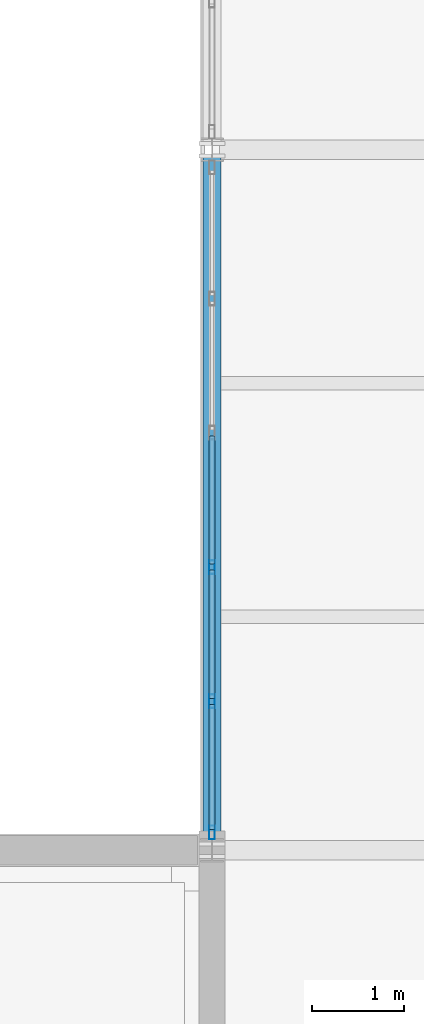
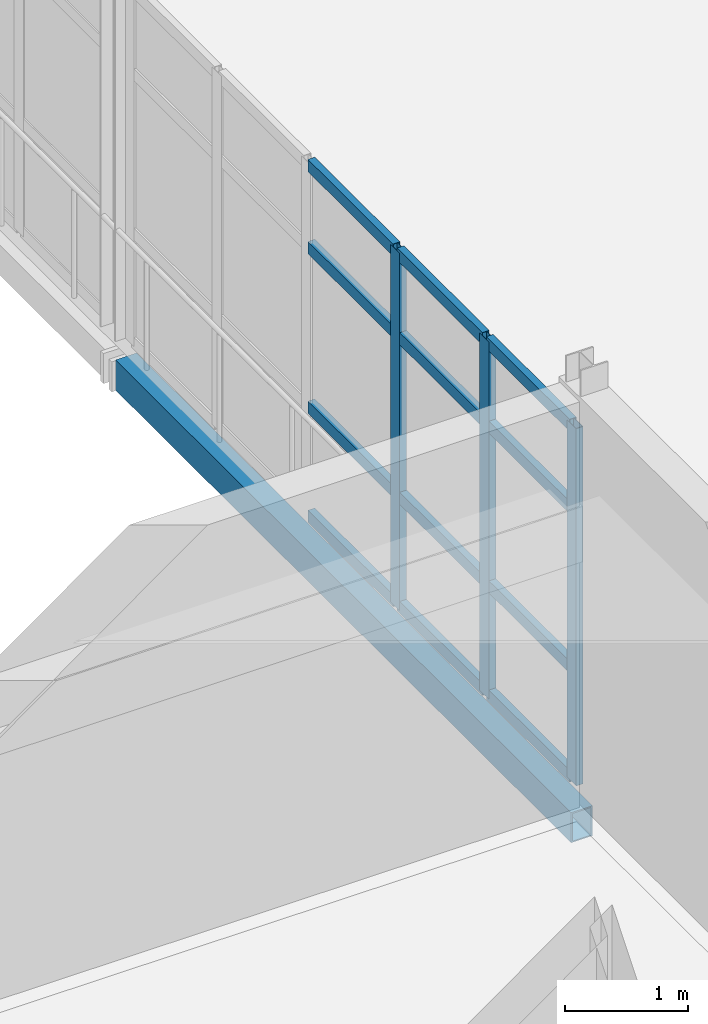
# One storey, part 19 of 48: 15 members, 1 beam, 1 element without a shape of its own.
"""IFC4 building model written with IfcOpenShell, lengths in metres."""

from ifc_helpers import new_model, si_unit, direction, frame, origin, origin_2d, place, context, subcontext, project, spatial, hollow_rectangle, extrude, material, material_profile, profile_set, type_object, element, aggregate, save


model = new_model("IFC4")

# Units and contexts
model_context = context("Model", 3, precision=1e-05, world=origin(), true_north=direction((0.0, 1.0)))
body_context = subcontext(model_context, "Body", "Model", "MODEL_VIEW")
ifc_project = project(units=[si_unit("LENGTHUNIT", "METRE"), si_unit("AREAUNIT", "SQUARE_METRE"), si_unit("VOLUMEUNIT", "CUBIC_METRE"), si_unit("PLANEANGLEUNIT", "RADIAN"), si_unit("MASSUNIT", "GRAM", prefix="KILO")], contexts=[model_context])

# Site, building, storey
site_placement = place(None, origin())
site = spatial("IfcSite", under=ifc_project, at=site_placement, CompositionType="ELEMENT")
building_placement = place(site_placement, origin())
building = spatial("IfcBuilding", under=site, at=building_placement, Name="Caisbarro Railhouse Central Library", CompositionType="ELEMENT")
storey_placement = place(building_placement, frame((0.0, 0.0, 18.0)))
storey = spatial("IfcBuildingStorey", under=building, at=storey_placement, Name="L04", CompositionType="ELEMENT", Elevation=18.0)

# Beam
ifc_material_1 = material(Name="Steel ASTM A572 Grade 50", Category="steel")
ifc_material_profile_1 = material_profile(ifc_material_1, hollow_rectangle(XDim=0.199951171875, YDim=0.300048828125, WallThickness=0.012451171875, at=origin_2d()), Name="HSS300X200X12.5")
ifc_profile_set_1 = profile_set([ifc_material_profile_1], Name="Steel ASTM A572 Grade 50")
beam_type = type_object("IfcBeamType", Name="BM-SP02", PredefinedType="SPANDREL", material=ifc_profile_set_1)
beam_placement = place(storey_placement, frame((144.0, 76.080078125, -0.3701171875), z_axis=(0.0, 1.0, 0.0), x_axis=(-1.0, 0.0, 0.0)))
element("IfcBeam", 1, at=beam_placement, inside=storey, type_object=beam_type, Name="SP02 beam L04 #2111", PredefinedType="SPANDREL", context=body_context, shape_type="SweptSolid", body=[
    extrude(hollow_rectangle(XDim=0.199951171875, YDim=0.300048828125, WallThickness=0.012451171875, at=origin_2d()), origin(), (0.0, 0.0, 1.0), 7.43994140625),
])

# Curtain wall, members
ifc_material_2 = material(Name="Anodised architectural aluminium", Category="aluminium")
curtain_wall_type = type_object("IfcCurtainWallType", Name="CW-CW03", PredefinedType="NOTDEFINED", material=ifc_material_2)
curtain_wall_placement = place(storey_placement, origin())
curtain_wall = element("IfcCurtainWall", 2, at=curtain_wall_placement, inside=storey, type_object=curtain_wall_type, Name="CW03 curtain wall L04 #163", PredefinedType="NOTDEFINED")
ifc_material_profile_2 = material_profile(ifc_material_2, hollow_rectangle(XDim=0.06494140625, YDim=0.14990234375, WallThickness=0.00390625, at=origin_2d()), Name="ALU-MUL-65X150")
ifc_profile_set_2 = profile_set([ifc_material_profile_2], Name="Anodised architectural aluminium")
member_type_1 = type_object("IfcMemberType", Name="CWM-M02", PredefinedType="MULLION", material=ifc_profile_set_2)
member_1_placement = place(storey_placement, frame((144.0, 76.1923828125, 0.0), z_axis=(0.0, 0.0, 1.0), x_axis=(-1.0, 0.0, 0.0)))
member_1 = element("IfcMember", 3, at=member_1_placement, type_object=member_type_1, Name="CW03 mullion 1", PredefinedType="MULLION", context=body_context, shape_type="SweptSolid", body=[
    extrude(hollow_rectangle(XDim=0.06494140625, YDim=0.14990234375, WallThickness=0.00390625, at=origin_2d()), origin(), (0.0, 0.0, 1.0), 3.56005859375),
])
member_2_placement = place(storey_placement, frame((144.0, 77.615966796875, 0.0), z_axis=(0.0, 0.0, 1.0), x_axis=(-1.0, 0.0, 0.0)))
member_2 = element("IfcMember", 4, at=member_2_placement, type_object=member_type_1, Name="CW03 mullion 2", PredefinedType="MULLION", context=body_context, shape_type="SweptSolid", body=[
    extrude(hollow_rectangle(XDim=0.06494140625, YDim=0.14990234375, WallThickness=0.00390625, at=origin_2d()), origin(), (0.0, 0.0, 1.0), 3.56005859375),
])
member_3_placement = place(storey_placement, frame((144.0, 79.072021484375, 0.0), z_axis=(0.0, 0.0, 1.0), x_axis=(-1.0, 0.0, 0.0)))
member_3 = element("IfcMember", 5, at=member_3_placement, type_object=member_type_1, Name="CW03 mullion 3", PredefinedType="MULLION", context=body_context, shape_type="SweptSolid", body=[
    extrude(hollow_rectangle(XDim=0.06494140625, YDim=0.14990234375, WallThickness=0.00390625, at=origin_2d()), origin(), (0.0, 0.0, 1.0), 3.56005859375),
])
ifc_material_profile_3 = material_profile(ifc_material_2, hollow_rectangle(XDim=0.06494140625, YDim=0.1201171875, WallThickness=0.00341796875, at=origin_2d()), Name="ALU-TRN-65X120")
ifc_profile_set_3 = profile_set([ifc_material_profile_3], Name="Anodised architectural aluminium")
member_type_2 = type_object("IfcMemberType", Name="CWT-T02", PredefinedType="USERDEFINED", material=ifc_profile_set_3)
member_4_placement = place(storey_placement, frame((144.0, 76.22509765625, 0.032470703125), z_axis=(0.0, 1.0, 0.0), x_axis=(-1.0, 0.0, 0.0)))
member_4 = element("IfcMember", 6, at=member_4_placement, type_object=member_type_2, Name="CW03 transom 1.1", ObjectType="TRANSOM", PredefinedType="USERDEFINED", context=body_context, shape_type="SweptSolid", body=[
    extrude(hollow_rectangle(XDim=0.06494140625, YDim=0.1201171875, WallThickness=0.00341796875, at=origin_2d()), origin(), (0.0, 0.0, 1.0), 1.3583984375),
])
member_5_placement = place(storey_placement, frame((144.0, 76.22509765625, 1.1201171875), z_axis=(0.0, 1.0, 0.0), x_axis=(-1.0, 0.0, 0.0)))
member_5 = element("IfcMember", 7, at=member_5_placement, type_object=member_type_2, Name="CW03 transom 1.2", ObjectType="TRANSOM", PredefinedType="USERDEFINED", context=body_context, shape_type="SweptSolid", body=[
    extrude(hollow_rectangle(XDim=0.06494140625, YDim=0.1201171875, WallThickness=0.00341796875, at=origin_2d()), origin(), (0.0, 0.0, 1.0), 1.3583984375),
])
member_6_placement = place(storey_placement, frame((144.0, 76.22509765625, 2.7099609375), z_axis=(0.0, 1.0, 0.0), x_axis=(-1.0, 0.0, 0.0)))
member_6 = element("IfcMember", 8, at=member_6_placement, type_object=member_type_2, Name="CW03 transom 1.3", ObjectType="TRANSOM", PredefinedType="USERDEFINED", context=body_context, shape_type="SweptSolid", body=[
    extrude(hollow_rectangle(XDim=0.06494140625, YDim=0.1201171875, WallThickness=0.00341796875, at=origin_2d()), origin(), (0.0, 0.0, 1.0), 1.3583984375),
])
member_7_placement = place(storey_placement, frame((144.0, 76.22509765625, 3.527587890625), z_axis=(0.0, 1.0, 0.0), x_axis=(-1.0, 0.0, 0.0)))
member_7 = element("IfcMember", 9, at=member_7_placement, type_object=member_type_2, Name="CW03 transom 1.4", ObjectType="TRANSOM", PredefinedType="USERDEFINED", context=body_context, shape_type="SweptSolid", body=[
    extrude(hollow_rectangle(XDim=0.06494140625, YDim=0.1201171875, WallThickness=0.00341796875, at=origin_2d()), origin(), (0.0, 0.0, 1.0), 1.3583984375),
])
member_8_placement = place(storey_placement, frame((144.0, 77.6484375, 0.032470703125), z_axis=(0.0, 1.0, 0.0), x_axis=(-1.0, 0.0, 0.0)))
member_8 = element("IfcMember", 10, at=member_8_placement, type_object=member_type_2, Name="CW03 transom 2.1", ObjectType="TRANSOM", PredefinedType="USERDEFINED", context=body_context, shape_type="SweptSolid", body=[
    extrude(hollow_rectangle(XDim=0.06494140625, YDim=0.1201171875, WallThickness=0.00341796875, at=origin_2d()), origin(), (0.0, 0.0, 1.0), 1.39111328125),
])
member_9_placement = place(storey_placement, frame((144.0, 77.6484375, 1.1201171875), z_axis=(0.0, 1.0, 0.0), x_axis=(-1.0, 0.0, 0.0)))
member_9 = element("IfcMember", 11, at=member_9_placement, type_object=member_type_2, Name="CW03 transom 2.2", ObjectType="TRANSOM", PredefinedType="USERDEFINED", context=body_context, shape_type="SweptSolid", body=[
    extrude(hollow_rectangle(XDim=0.06494140625, YDim=0.1201171875, WallThickness=0.00341796875, at=origin_2d()), origin(), (0.0, 0.0, 1.0), 1.39111328125),
])
member_10_placement = place(storey_placement, frame((144.0, 77.6484375, 2.7099609375), z_axis=(0.0, 1.0, 0.0), x_axis=(-1.0, 0.0, 0.0)))
member_10 = element("IfcMember", 12, at=member_10_placement, type_object=member_type_2, Name="CW03 transom 2.3", ObjectType="TRANSOM", PredefinedType="USERDEFINED", context=body_context, shape_type="SweptSolid", body=[
    extrude(hollow_rectangle(XDim=0.06494140625, YDim=0.1201171875, WallThickness=0.00341796875, at=origin_2d()), origin(), (0.0, 0.0, 1.0), 1.39111328125),
])
member_11_placement = place(storey_placement, frame((144.0, 77.6484375, 3.527587890625), z_axis=(0.0, 1.0, 0.0), x_axis=(-1.0, 0.0, 0.0)))
member_11 = element("IfcMember", 13, at=member_11_placement, type_object=member_type_2, Name="CW03 transom 2.4", ObjectType="TRANSOM", PredefinedType="USERDEFINED", context=body_context, shape_type="SweptSolid", body=[
    extrude(hollow_rectangle(XDim=0.06494140625, YDim=0.1201171875, WallThickness=0.00341796875, at=origin_2d()), origin(), (0.0, 0.0, 1.0), 1.39111328125),
])
member_12_placement = place(storey_placement, frame((144.0, 79.1044921875, 0.032470703125), z_axis=(0.0, 1.0, 0.0), x_axis=(-1.0, 0.0, 0.0)))
member_12 = element("IfcMember", 14, at=member_12_placement, type_object=member_type_2, Name="CW03 transom 3.1", ObjectType="TRANSOM", PredefinedType="USERDEFINED", context=body_context, shape_type="SweptSolid", body=[
    extrude(hollow_rectangle(XDim=0.06494140625, YDim=0.1201171875, WallThickness=0.00341796875, at=origin_2d()), origin(), (0.0, 0.0, 1.0), 1.39111328125),
])
member_13_placement = place(storey_placement, frame((144.0, 79.1044921875, 1.1201171875), z_axis=(0.0, 1.0, 0.0), x_axis=(-1.0, 0.0, 0.0)))
member_13 = element("IfcMember", 15, at=member_13_placement, type_object=member_type_2, Name="CW03 transom 3.2", ObjectType="TRANSOM", PredefinedType="USERDEFINED", context=body_context, shape_type="SweptSolid", body=[
    extrude(hollow_rectangle(XDim=0.06494140625, YDim=0.1201171875, WallThickness=0.00341796875, at=origin_2d()), origin(), (0.0, 0.0, 1.0), 1.39111328125),
])
member_14_placement = place(storey_placement, frame((144.0, 79.1044921875, 2.7099609375), z_axis=(0.0, 1.0, 0.0), x_axis=(-1.0, 0.0, 0.0)))
member_14 = element("IfcMember", 16, at=member_14_placement, type_object=member_type_2, Name="CW03 transom 3.3", ObjectType="TRANSOM", PredefinedType="USERDEFINED", context=body_context, shape_type="SweptSolid", body=[
    extrude(hollow_rectangle(XDim=0.06494140625, YDim=0.1201171875, WallThickness=0.00341796875, at=origin_2d()), origin(), (0.0, 0.0, 1.0), 1.39111328125),
])
member_15_placement = place(storey_placement, frame((144.0, 79.1044921875, 3.527587890625), z_axis=(0.0, 1.0, 0.0), x_axis=(-1.0, 0.0, 0.0)))
member_15 = element("IfcMember", 17, at=member_15_placement, type_object=member_type_2, Name="CW03 transom 3.4", ObjectType="TRANSOM", PredefinedType="USERDEFINED", context=body_context, shape_type="SweptSolid", body=[
    extrude(hollow_rectangle(XDim=0.06494140625, YDim=0.1201171875, WallThickness=0.00341796875, at=origin_2d()), origin(), (0.0, 0.0, 1.0), 1.39111328125),
])
aggregate(curtain_wall, [member_1, member_2, member_3, member_4, member_5, member_6, member_7, member_8, member_9, member_10, member_11, member_12, member_13, member_14, member_15])

save(model, "model.ifc")
